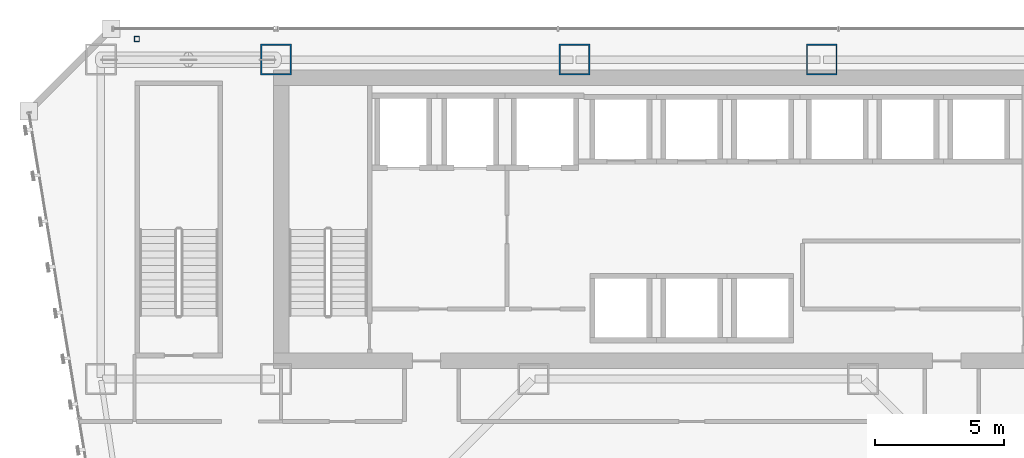
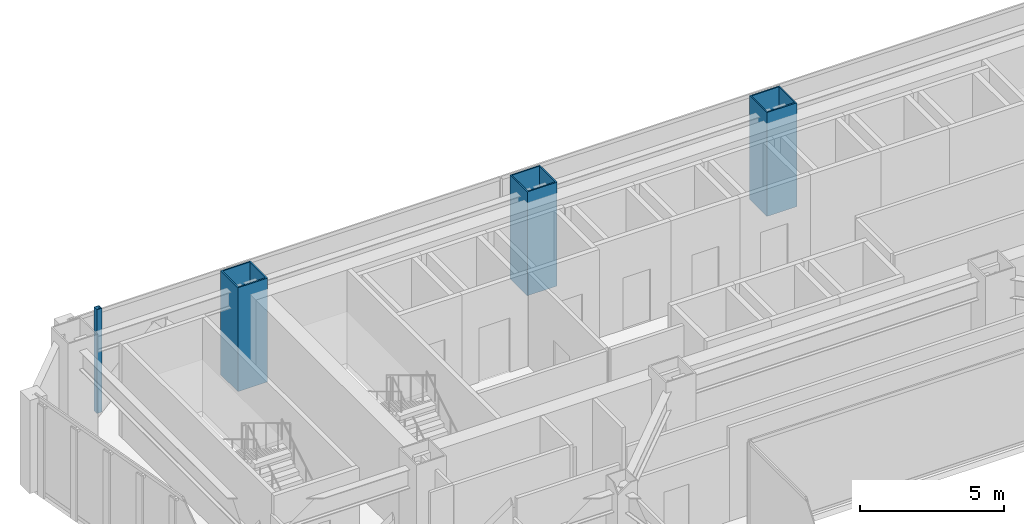
# One storey, part 2 of 47: 4 columns.
"""IFC4 building model written with IfcOpenShell, lengths in metres."""

from ifc_helpers import new_model, si_unit, direction, frame, origin, origin_2d, place, context, subcontext, project, spatial, hollow_rectangle, extrude, material, material_profile, profile_set, type_object, element, save


model = new_model("IFC4")

# Units and contexts
model_context = context("Model", 3, precision=1e-05, world=origin(), true_north=direction((0.0, 1.0)))
body_context = subcontext(model_context, "Body", "Model", "MODEL_VIEW")
ifc_project = project(units=[si_unit("LENGTHUNIT", "METRE"), si_unit("AREAUNIT", "SQUARE_METRE"), si_unit("VOLUMEUNIT", "CUBIC_METRE"), si_unit("PLANEANGLEUNIT", "RADIAN"), si_unit("MASSUNIT", "GRAM", prefix="KILO")], contexts=[model_context])

# Site, building, storey
site_placement = place(None, origin())
site = spatial("IfcSite", under=ifc_project, at=site_placement, CompositionType="ELEMENT")
building_placement = place(site_placement, origin())
building = spatial("IfcBuilding", under=site, at=building_placement, Name="Saevonmaru Cultural Tower", CompositionType="ELEMENT")
storey_placement = place(building_placement, frame((0.0, 0.0, 82.39990234375)))
storey = spatial("IfcBuildingStorey", under=building, at=storey_placement, Name="L17", CompositionType="ELEMENT", Elevation=82.39990234375)

# Columns
ifc_material_1 = material(Name="Steel HSA600 (600 MPa)", Category="steel")
ifc_material_profile_1 = material_profile(ifc_material_1, hollow_rectangle(XDim=1.199951171875, YDim=1.199951171875, WallThickness=0.054931640625, at=origin_2d()), Name="BOX-1200x1200x55")
ifc_profile_set_1 = profile_set([ifc_material_profile_1], Name="Steel HSA600 (600 MPa)")
column_type_1 = type_object("IfcColumnType", Name="COL-BOX-1200", PredefinedType="COLUMN", material=ifc_profile_set_1)
for number, where, z_axis, x_axis, name in (
    (1, (13.60009765625, 54.800048828125, 0.0), (0.0, 0.0, 1.0), (1.0, 0.0, 0.0), "L17 Column TC-N2N"),
    (2, (25.199951171875, 54.800048828125, 0.0), (0.0, 0.0, 1.0), (1.0, 0.0, 0.0), "L17 Column TC-N3N"),
    (3, (34.800048828125, 54.800048828125, 0.0), (0.0, 0.0, 1.0), (1.0, 0.0, 0.0), "L17 Column TC-N4N"),
):
    element("IfcColumn", number, at=place(storey_placement, frame(where, z_axis=z_axis, x_axis=x_axis)), inside=storey, type_object=column_type_1, Name=name, PredefinedType="COLUMN", context=body_context, shape_type="SweptSolid", body=[
        extrude(hollow_rectangle(XDim=1.199951171875, YDim=1.199951171875, WallThickness=0.054931640625, at=origin_2d()), origin(), (0.0, 0.0, 1.0), 4.400146484375),
    ])
ifc_material_2 = material(Name="Steel SM355", Category="steel")
ifc_material_profile_2 = material_profile(ifc_material_2, hollow_rectangle(XDim=0.199951171875, YDim=0.199951171875, WallThickness=0.010009765625, at=origin_2d()), Name="SHS-200x200x10")
ifc_profile_set_2 = profile_set([ifc_material_profile_2], Name="Steel SM355")
column_type_2 = type_object("IfcColumnType", Name="PIL-SHS-200", PredefinedType="PILASTER", material=ifc_profile_set_2)
column_placement = place(storey_placement, frame((8.199951171875, 55.60009765625, 0.0), z_axis=(0.0, 0.0, 1.0), x_axis=(1.0, 0.0, 0.0)))
element("IfcColumn", 4, at=column_placement, inside=storey, type_object=column_type_2, Name="L17 Art Deco Bronze-Clad Pilaster PIL-NW", PredefinedType="PILASTER", context=body_context, shape_type="SweptSolid", body=[
    extrude(hollow_rectangle(XDim=0.199951171875, YDim=0.199951171875, WallThickness=0.010009765625, at=origin_2d()), origin(), (0.0, 0.0, 1.0), 4.400146484375),
])

save(model, "model.ifc")
